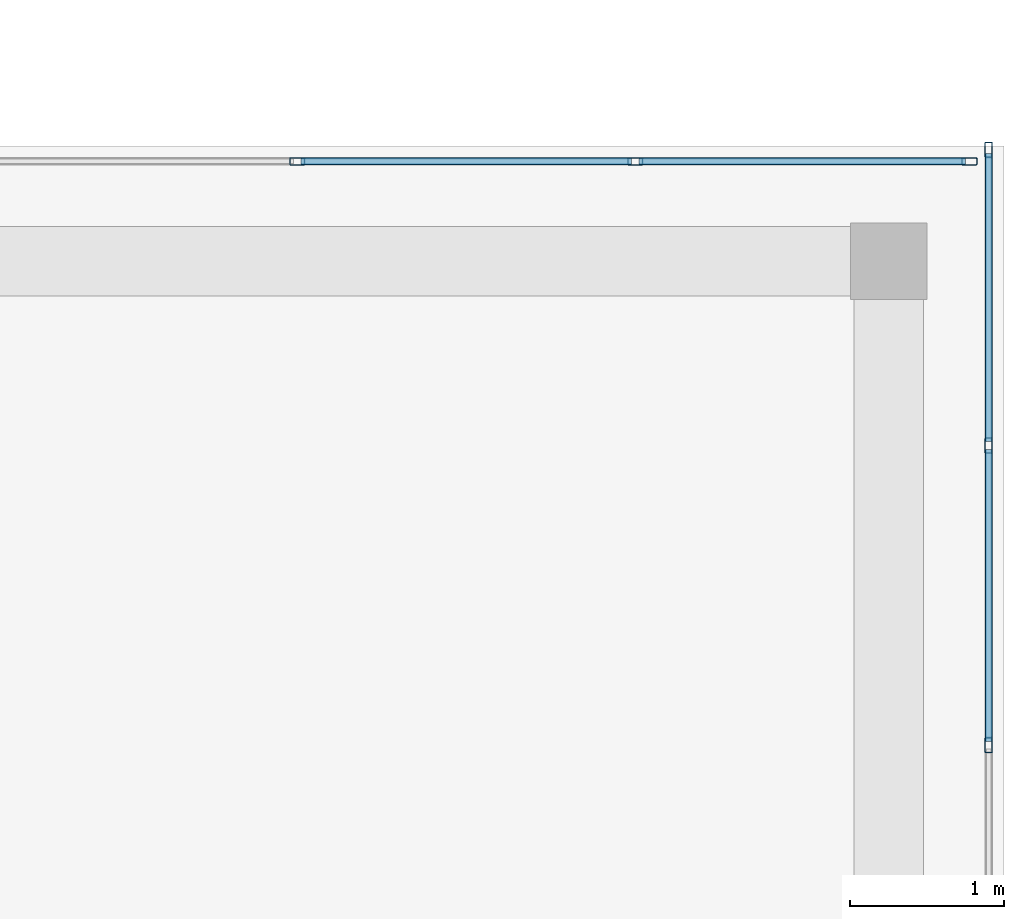
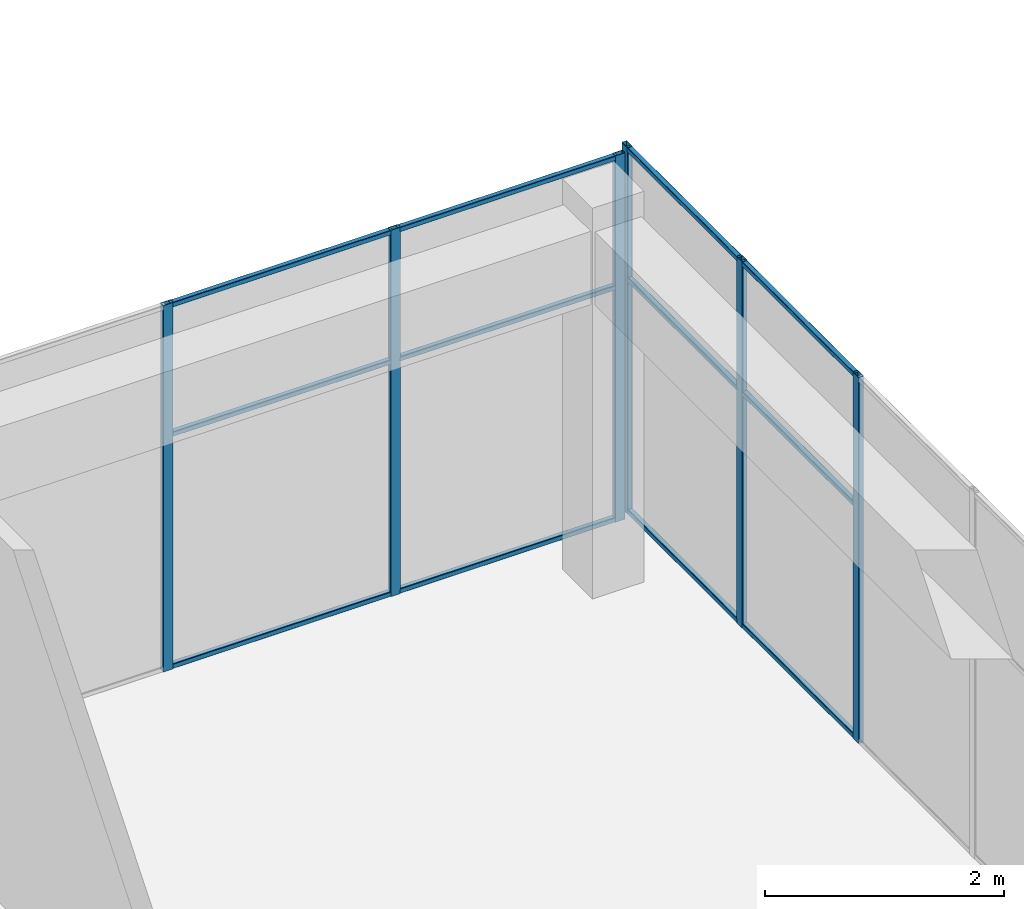
# One storey, part 19 of 34: 18 members, 2 elements without a shape of their own.
"""IFC4 building model written with IfcOpenShell, lengths in metres."""

from ifc_helpers import new_model, si_unit, direction, frame, origin, origin_2d, place, context, subcontext, project, spatial, hollow_rectangle, extrude, material, layer, layer_set, material_profile, profile_set, type_object, element, aggregate, save


model = new_model("IFC4")

# Units and contexts
model_context = context("Model", 3, precision=1e-05, world=origin(), true_north=direction((0.0, 1.0)))
body_context = subcontext(model_context, "Body", "Model", "MODEL_VIEW")
ifc_project = project(units=[si_unit("LENGTHUNIT", "METRE"), si_unit("AREAUNIT", "SQUARE_METRE"), si_unit("VOLUMEUNIT", "CUBIC_METRE"), si_unit("PLANEANGLEUNIT", "RADIAN"), si_unit("MASSUNIT", "GRAM", prefix="KILO")], contexts=[model_context])

# Site, building, storey
site_placement = place(None, origin())
site = spatial("IfcSite", under=ifc_project, at=site_placement, CompositionType="ELEMENT")
building_placement = place(site_placement, origin())
building = spatial("IfcBuilding", under=site, at=building_placement, Name="Tuart Plaza Theatre", CompositionType="ELEMENT")
storey_placement = place(building_placement, frame((0.0, 0.0, 57.5)))
storey = spatial("IfcBuildingStorey", under=building, at=storey_placement, Name="L14", CompositionType="ELEMENT", Elevation=57.5)

# Curtain wall, members
ifc_material_1 = material(Name="Aluminium and glass", Category="aluminium")
ifc_layer = layer(ifc_material_1, 0.10009765625)
ifc_layer_set = layer_set([ifc_layer], Name="CURTAIN WALL 2000 module")
curtain_wall_type = type_object("IfcCurtainWallType", Name="CURTAIN WALL 2000 module", PredefinedType="NOTDEFINED", material=ifc_layer_set)
curtain_wall_1_placement = place(storey_placement, origin())
curtain_wall_1 = element("IfcCurtainWall", 1, at=curtain_wall_1_placement, inside=storey, type_object=curtain_wall_type, Name="CW114", PredefinedType="NOTDEFINED")
ifc_material_2 = material(Name="Aluminium 6063-T5", Category="aluminium")
ifc_material_profile_1 = material_profile(ifc_material_2, hollow_rectangle(XDim=0.050048828125, YDim=0.10009765625, WallThickness=0.00390625, InnerFilletRadius=0.00390625, OuterFilletRadius=0.008056640625, at=origin_2d()), Name="RHS 100x50x4")
ifc_profile_set_1 = profile_set([ifc_material_profile_1], Name="Aluminium 6063-T5")
member_type_1 = type_object("IfcMemberType", Name="MULLION RHS 100x50x4", PredefinedType="MULLION", material=ifc_profile_set_1)
member_1_placement = place(storey_placement, frame((150.64990234375, 79.85009765625, 0.0), z_axis=(0.0, 0.0, 1.0), x_axis=(-1.0, 0.0, 0.0)))
member_1 = element("IfcMember", 2, at=member_1_placement, type_object=member_type_1, Name="CW114 mullion 9", PredefinedType="MULLION", context=body_context, shape_type="SweptSolid", body=[
    extrude(hollow_rectangle(XDim=0.050048828125, YDim=0.10009765625, WallThickness=0.00390625, InnerFilletRadius=0.00390625, OuterFilletRadius=0.008056640625, at=origin_2d()), origin(), (0.0, 0.0, 1.0), 3.75),
])
member_2_placement = place(storey_placement, frame((150.64990234375, 81.800048828125, 0.0), z_axis=(0.0, 0.0, 1.0), x_axis=(-1.0, 0.0, 0.0)))
member_2 = element("IfcMember", 3, at=member_2_placement, type_object=member_type_1, Name="CW114 mullion 10", PredefinedType="MULLION", context=body_context, shape_type="SweptSolid", body=[
    extrude(hollow_rectangle(XDim=0.050048828125, YDim=0.10009765625, WallThickness=0.00390625, InnerFilletRadius=0.00390625, OuterFilletRadius=0.008056640625, at=origin_2d()), origin(), (0.0, 0.0, 1.0), 3.75),
])
member_3_placement = place(storey_placement, frame((150.64990234375, 83.72509765625, 0.0), z_axis=(0.0, 0.0, 1.0), x_axis=(-1.0, 0.0, 0.0)))
member_3 = element("IfcMember", 4, at=member_3_placement, type_object=member_type_1, Name="CW114 mullion 11", PredefinedType="MULLION", context=body_context, shape_type="SweptSolid", body=[
    extrude(hollow_rectangle(XDim=0.050048828125, YDim=0.10009765625, WallThickness=0.00390625, InnerFilletRadius=0.00390625, OuterFilletRadius=0.008056640625, at=origin_2d()), origin(), (0.0, 0.0, 1.0), 3.75),
])

curtain_wall_2_placement = place(storey_placement, origin())
curtain_wall_2 = element("IfcCurtainWall", 5, at=curtain_wall_2_placement, inside=storey, type_object=curtain_wall_type, Name="CW115", PredefinedType="NOTDEFINED")
member_4_placement = place(storey_placement, frame((150.52490234375, 83.64990234375, 0.0), z_axis=(0.0, 0.0, 1.0), x_axis=(0.0, -1.0, 0.0)))
member_4 = element("IfcMember", 6, at=member_4_placement, type_object=member_type_1, Name="CW115 mullion 1", PredefinedType="MULLION", context=body_context, shape_type="SweptSolid", body=[
    extrude(hollow_rectangle(XDim=0.050048828125, YDim=0.10009765625, WallThickness=0.00390625, InnerFilletRadius=0.00390625, OuterFilletRadius=0.008056640625, at=origin_2d()), origin(), (0.0, 0.0, 1.0), 3.75),
])
member_5_placement = place(storey_placement, frame((148.35009765625, 83.64990234375, 0.0), z_axis=(0.0, 0.0, 1.0), x_axis=(0.0, -1.0, 0.0)))
member_5 = element("IfcMember", 7, at=member_5_placement, type_object=member_type_1, Name="CW115 mullion 2", PredefinedType="MULLION", context=body_context, shape_type="SweptSolid", body=[
    extrude(hollow_rectangle(XDim=0.050048828125, YDim=0.10009765625, WallThickness=0.00390625, InnerFilletRadius=0.00390625, OuterFilletRadius=0.008056640625, at=origin_2d()), origin(), (0.0, 0.0, 1.0), 3.75),
])
member_6_placement = place(storey_placement, frame((146.14990234375, 83.64990234375, 0.0), z_axis=(0.0, 0.0, 1.0), x_axis=(0.0, -1.0, 0.0)))
member_6 = element("IfcMember", 8, at=member_6_placement, type_object=member_type_1, Name="CW115 mullion 3", PredefinedType="MULLION", context=body_context, shape_type="SweptSolid", body=[
    extrude(hollow_rectangle(XDim=0.050048828125, YDim=0.10009765625, WallThickness=0.00390625, InnerFilletRadius=0.00390625, OuterFilletRadius=0.008056640625, at=origin_2d()), origin(), (0.0, 0.0, 1.0), 3.75),
])

# Member
ifc_material_3 = material(Name="Aluminium 6063-T5", Category="aluminium")
ifc_material_profile_2 = material_profile(ifc_material_3, hollow_rectangle(XDim=0.050048828125, YDim=0.050048828125, WallThickness=0.00390625, InnerFilletRadius=0.00390625, OuterFilletRadius=0.008056640625, at=origin_2d()), Name="RHS 50x50x4")
ifc_profile_set_2 = profile_set([ifc_material_profile_2], Name="Aluminium 6063-T5")
member_type_2 = type_object("IfcMemberType", Name="TRANSOM RHS 50x50x4", PredefinedType="USERDEFINED", material=ifc_profile_set_2)
member_7_placement = place(storey_placement, frame((150.64990234375, 79.875, 0.02490234375), z_axis=(0.0, 1.0, 0.0), x_axis=(-1.0, 0.0, 0.0)))
member_7 = element("IfcMember", 9, at=member_7_placement, type_object=member_type_2, Name="CW114 transom 9.1", ObjectType="TRANSOM", PredefinedType="USERDEFINED", context=body_context, shape_type="SweptSolid", body=[
    extrude(hollow_rectangle(XDim=0.050048828125, YDim=0.050048828125, WallThickness=0.00390625, InnerFilletRadius=0.00390625, OuterFilletRadius=0.008056640625, at=origin_2d()), origin(), (0.0, 0.0, 1.0), 1.89990234375),
])

member_8_placement = place(storey_placement, frame((150.64990234375, 79.875, 2.39990234375), z_axis=(0.0, 1.0, 0.0), x_axis=(-1.0, 0.0, 0.0)))
member_8 = element("IfcMember", 10, at=member_8_placement, type_object=member_type_2, Name="CW114 transom 9.2", ObjectType="TRANSOM", PredefinedType="USERDEFINED", context=body_context, shape_type="SweptSolid", body=[
    extrude(hollow_rectangle(XDim=0.050048828125, YDim=0.050048828125, WallThickness=0.00390625, InnerFilletRadius=0.00390625, OuterFilletRadius=0.008056640625, at=origin_2d()), origin(), (0.0, 0.0, 1.0), 1.89990234375),
])

member_9_placement = place(storey_placement, frame((150.64990234375, 79.875, 3.72509765625), z_axis=(0.0, 1.0, 0.0), x_axis=(-1.0, 0.0, 0.0)))
member_9 = element("IfcMember", 11, at=member_9_placement, type_object=member_type_2, Name="CW114 transom 9.3", ObjectType="TRANSOM", PredefinedType="USERDEFINED", context=body_context, shape_type="SweptSolid", body=[
    extrude(hollow_rectangle(XDim=0.050048828125, YDim=0.050048828125, WallThickness=0.00390625, InnerFilletRadius=0.00390625, OuterFilletRadius=0.008056640625, at=origin_2d()), origin(), (0.0, 0.0, 1.0), 1.89990234375),
])

member_10_placement = place(storey_placement, frame((150.64990234375, 81.824951171875, 0.02490234375), z_axis=(0.0, 1.0, 0.0), x_axis=(-1.0, 0.0, 0.0)))
member_10 = element("IfcMember", 12, at=member_10_placement, type_object=member_type_2, Name="CW114 transom 10.1", ObjectType="TRANSOM", PredefinedType="USERDEFINED", context=body_context, shape_type="SweptSolid", body=[
    extrude(hollow_rectangle(XDim=0.050048828125, YDim=0.050048828125, WallThickness=0.00390625, InnerFilletRadius=0.00390625, OuterFilletRadius=0.008056640625, at=origin_2d()), origin(), (0.0, 0.0, 1.0), 1.875),
])

member_11_placement = place(storey_placement, frame((150.64990234375, 81.824951171875, 2.39990234375), z_axis=(0.0, 1.0, 0.0), x_axis=(-1.0, 0.0, 0.0)))
member_11 = element("IfcMember", 13, at=member_11_placement, type_object=member_type_2, Name="CW114 transom 10.2", ObjectType="TRANSOM", PredefinedType="USERDEFINED", context=body_context, shape_type="SweptSolid", body=[
    extrude(hollow_rectangle(XDim=0.050048828125, YDim=0.050048828125, WallThickness=0.00390625, InnerFilletRadius=0.00390625, OuterFilletRadius=0.008056640625, at=origin_2d()), origin(), (0.0, 0.0, 1.0), 1.875),
])

member_12_placement = place(storey_placement, frame((150.64990234375, 81.824951171875, 3.72509765625), z_axis=(0.0, 1.0, 0.0), x_axis=(-1.0, 0.0, 0.0)))
member_12 = element("IfcMember", 14, at=member_12_placement, type_object=member_type_2, Name="CW114 transom 10.3", ObjectType="TRANSOM", PredefinedType="USERDEFINED", context=body_context, shape_type="SweptSolid", body=[
    extrude(hollow_rectangle(XDim=0.050048828125, YDim=0.050048828125, WallThickness=0.00390625, InnerFilletRadius=0.00390625, OuterFilletRadius=0.008056640625, at=origin_2d()), origin(), (0.0, 0.0, 1.0), 1.875),
])

aggregate(curtain_wall_1, [member_1, member_2, member_3, member_7, member_8, member_9, member_10, member_11, member_12])

member_13_placement = place(storey_placement, frame((150.5, 83.64990234375, 0.02490234375), z_axis=(-1.0, 0.0, 0.0), x_axis=(0.0, -1.0, 0.0)))
member_13 = element("IfcMember", 15, at=member_13_placement, type_object=member_type_2, Name="CW115 transom 1.1", ObjectType="TRANSOM", PredefinedType="USERDEFINED", context=body_context, shape_type="SweptSolid", body=[
    extrude(hollow_rectangle(XDim=0.050048828125, YDim=0.050048828125, WallThickness=0.00390625, InnerFilletRadius=0.00390625, OuterFilletRadius=0.008056640625, at=origin_2d()), origin(), (0.0, 0.0, 1.0), 2.125),
])

member_14_placement = place(storey_placement, frame((150.5, 83.64990234375, 2.39990234375), z_axis=(-1.0, 0.0, 0.0), x_axis=(0.0, -1.0, 0.0)))
member_14 = element("IfcMember", 16, at=member_14_placement, type_object=member_type_2, Name="CW115 transom 1.2", ObjectType="TRANSOM", PredefinedType="USERDEFINED", context=body_context, shape_type="SweptSolid", body=[
    extrude(hollow_rectangle(XDim=0.050048828125, YDim=0.050048828125, WallThickness=0.00390625, InnerFilletRadius=0.00390625, OuterFilletRadius=0.008056640625, at=origin_2d()), origin(), (0.0, 0.0, 1.0), 2.125),
])

member_15_placement = place(storey_placement, frame((150.5, 83.64990234375, 3.72509765625), z_axis=(-1.0, 0.0, 0.0), x_axis=(0.0, -1.0, 0.0)))
member_15 = element("IfcMember", 17, at=member_15_placement, type_object=member_type_2, Name="CW115 transom 1.3", ObjectType="TRANSOM", PredefinedType="USERDEFINED", context=body_context, shape_type="SweptSolid", body=[
    extrude(hollow_rectangle(XDim=0.050048828125, YDim=0.050048828125, WallThickness=0.00390625, InnerFilletRadius=0.00390625, OuterFilletRadius=0.008056640625, at=origin_2d()), origin(), (0.0, 0.0, 1.0), 2.125),
])

member_16_placement = place(storey_placement, frame((148.324951171875, 83.64990234375, 0.02490234375), z_axis=(-1.0, 0.0, 0.0), x_axis=(0.0, -1.0, 0.0)))
member_16 = element("IfcMember", 18, at=member_16_placement, type_object=member_type_2, Name="CW115 transom 2.1", ObjectType="TRANSOM", PredefinedType="USERDEFINED", context=body_context, shape_type="SweptSolid", body=[
    extrude(hollow_rectangle(XDim=0.050048828125, YDim=0.050048828125, WallThickness=0.00390625, InnerFilletRadius=0.00390625, OuterFilletRadius=0.008056640625, at=origin_2d()), origin(), (0.0, 0.0, 1.0), 2.14990234375),
])

member_17_placement = place(storey_placement, frame((148.324951171875, 83.64990234375, 2.39990234375), z_axis=(-1.0, 0.0, 0.0), x_axis=(0.0, -1.0, 0.0)))
member_17 = element("IfcMember", 19, at=member_17_placement, type_object=member_type_2, Name="CW115 transom 2.2", ObjectType="TRANSOM", PredefinedType="USERDEFINED", context=body_context, shape_type="SweptSolid", body=[
    extrude(hollow_rectangle(XDim=0.050048828125, YDim=0.050048828125, WallThickness=0.00390625, InnerFilletRadius=0.00390625, OuterFilletRadius=0.008056640625, at=origin_2d()), origin(), (0.0, 0.0, 1.0), 2.14990234375),
])

member_18_placement = place(storey_placement, frame((148.324951171875, 83.64990234375, 3.72509765625), z_axis=(-1.0, 0.0, 0.0), x_axis=(0.0, -1.0, 0.0)))
member_18 = element("IfcMember", 20, at=member_18_placement, type_object=member_type_2, Name="CW115 transom 2.3", ObjectType="TRANSOM", PredefinedType="USERDEFINED", context=body_context, shape_type="SweptSolid", body=[
    extrude(hollow_rectangle(XDim=0.050048828125, YDim=0.050048828125, WallThickness=0.00390625, InnerFilletRadius=0.00390625, OuterFilletRadius=0.008056640625, at=origin_2d()), origin(), (0.0, 0.0, 1.0), 2.14990234375),
])

aggregate(curtain_wall_2, [member_4, member_5, member_6, member_13, member_14, member_15, member_16, member_17, member_18])

save(model, "model.ifc")
